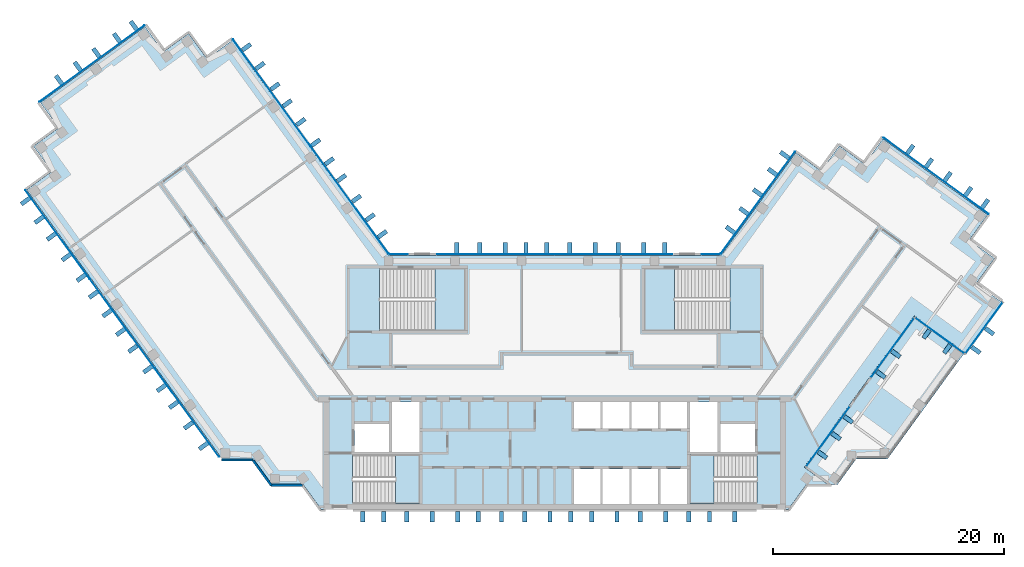
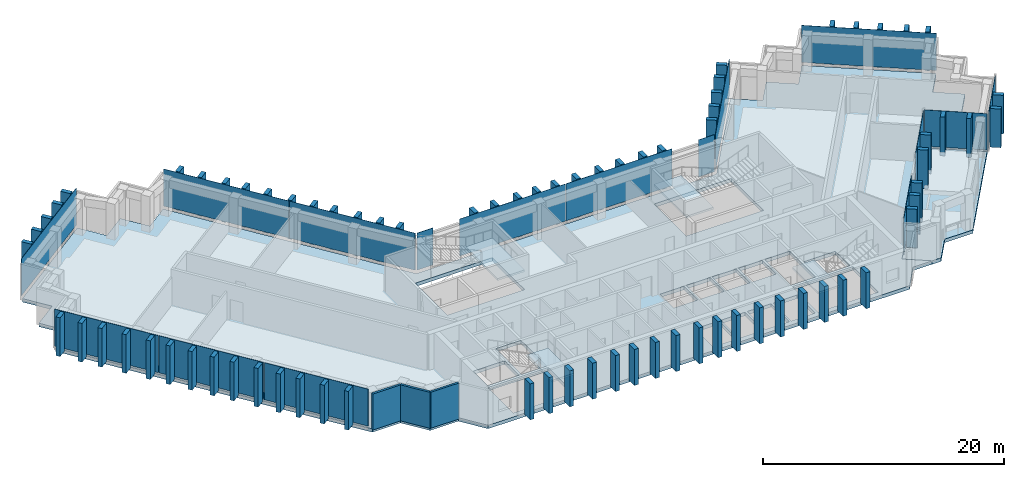
"""IFC4 building model written with IfcOpenShell, lengths in metres."""

from ifc_helpers import new_model, si_unit, direction, frame, frame_2d, origin, origin_2d, place, context, subcontext, project, spatial, polyline, rectangle, outline, extrude, material, layer, layer_set, type_object, element, aggregate, save


model = new_model("IFC4")

# Units and contexts
model_context = context("Model", 3, precision=1e-05, world=origin(), true_north=direction((0.0, 1.0)))
body_context = subcontext(model_context, "Body", "Model", "MODEL_VIEW")
ifc_project = project(units=[si_unit("LENGTHUNIT", "METRE"), si_unit("AREAUNIT", "SQUARE_METRE"), si_unit("VOLUMEUNIT", "CUBIC_METRE"), si_unit("PLANEANGLEUNIT", "RADIAN"), si_unit("MASSUNIT", "GRAM", prefix="KILO")], contexts=[model_context])

# Site, building, storey
site_placement = place(None, origin())
site = spatial("IfcSite", under=ifc_project, at=site_placement, CompositionType="ELEMENT")
building_placement = place(site_placement, origin())
building = spatial("IfcBuilding", under=site, at=building_placement, Name="Quipu Civic Tower", CompositionType="ELEMENT")
storey_1_placement = place(building_placement, frame((0.0, 0.0, 206.0)))
storey_1 = spatial("IfcBuildingStorey", under=building, at=storey_1_placement, Name="L48", CompositionType="ELEMENT", Elevation=206.0)

# Slab
ifc_material_1 = material(Name="Concrete C40/50", Category="concrete")
ifc_layer_1 = layer(ifc_material_1, 0.35009765625)
ifc_layer_set_1 = layer_set([ifc_layer_1], Name="Concrete C40/50")
slab_type_1 = type_object("IfcSlabType", Name="Floor slab 350 C40/50", PredefinedType="FLOOR", material=ifc_layer_set_1)
slab_1_placement = place(storey_1_placement, frame((0.0, 0.0, -0.35009765625)))
element("IfcSlab", 1, at=slab_1_placement, inside=storey_1, type_object=slab_type_1, Name="Floor slab L48", PredefinedType="FLOOR", context=body_context, shape_type="SweptSolid", body=[
    extrude(outline(polyline([(-20.205078125, -11.0), (-21.7900390625, -8.81494140625), (-24.489990234375, -8.81494140625), (-26.080078125, -6.6298828125), (-28.780029296875, -6.6298828125), (-45.7099609375, 16.669921875), (-43.52490234375, 18.260009765625), (-45.114990234375, 20.445068359375), (-42.929931640625, 22.030029296875), (-44.514892578125, 24.215087890625), (-35.455078125, 30.800048828125), (-33.864990234375, 28.614990234375), (-31.68505859375, 30.199951171875), (-30.094970703125, 28.014892578125), (-27.909912109375, 29.60498046875), (-14.39501953125, 11.0), (14.39501953125, 11.0), (20.860107421875, 19.89501953125), (23.0400390625, 18.31005859375), (24.6298828125, 20.4951171875), (26.81494140625, 18.905029296875), (28.39990234375, 21.090087890625), (37.4599609375, 14.5048828125), (35.875, 12.320068359375), (38.06005859375, 10.735107421875), (36.469970703125, 8.550048828125), (38.655029296875, 6.965087890625), (35.47998046875, 2.594970703125), (31.114990234375, 5.77001953125), (21.590087890625, -7.3349609375), (23.625, -8.81494140625), (21.7900390625, -8.81494140625), (20.205078125, -11.0), (-20.205078125, -11.0)]), holes=[polyline([(1.64990234375, -7.5), (1.64990234375, -10.5), (3.949951171875, -10.5), (3.949951171875, -7.5), (1.64990234375, -7.5)]), polyline([(4.14990234375, -7.5), (4.14990234375, -10.5), (6.449951171875, -10.5), (6.449951171875, -7.5), (4.14990234375, -7.5)]), polyline([(-11.705078125, -6.2548828125), (-17.4951171875, -6.2548828125), (-17.4951171875, -10.4951171875), (-11.705078125, -10.4951171875), (-11.705078125, -6.2548828125)]), polyline([(-17.35009765625, -3.60009765625), (-17.35009765625, -6.0), (-14.35009765625, -6.0), (-14.35009765625, -3.60009765625), (-17.35009765625, -3.60009765625)]), polyline([(-14.10009765625, -1.699951171875), (-14.10009765625, -6.0), (-11.699951171875, -6.0), (-11.699951171875, -1.699951171875), (-14.10009765625, -1.699951171875)]), polyline([(1.64990234375, -1.699951171875), (1.64990234375, -4.0), (3.949951171875, -4.0), (3.949951171875, -1.699951171875), (1.64990234375, -1.699951171875)]), polyline([(4.14990234375, -1.699951171875), (4.14990234375, -4.0), (6.449951171875, -4.0), (6.449951171875, -1.699951171875), (4.14990234375, -1.699951171875)]), polyline([(-7.7548828125, 9.844970703125), (-15.14501953125, 9.844970703125), (-15.14501953125, 4.5048828125), (-7.7548828125, 4.5048828125), (-7.7548828125, 9.844970703125)]), polyline([(6.64990234375, -7.5), (6.64990234375, -10.5), (8.949951171875, -10.5), (8.949951171875, -7.5), (6.64990234375, -7.5)]), polyline([(9.14990234375, -7.5), (9.14990234375, -10.5), (11.449951171875, -10.5), (11.449951171875, -7.5), (9.14990234375, -7.5)]), polyline([(11.705078125, -10.4951171875), (17.4951171875, -10.4951171875), (17.4951171875, -6.2548828125), (11.705078125, -6.2548828125), (11.705078125, -10.4951171875)]), polyline([(14.35009765625, -3.60009765625), (14.35009765625, -6.0), (17.35009765625, -6.0), (17.35009765625, -3.60009765625), (14.35009765625, -3.60009765625)]), polyline([(11.699951171875, -1.699951171875), (11.699951171875, -6.0), (14.10009765625, -6.0), (14.10009765625, -1.699951171875), (11.699951171875, -1.699951171875)]), polyline([(6.64990234375, -1.699951171875), (6.64990234375, -4.0), (8.949951171875, -4.0), (8.949951171875, -1.699951171875), (6.64990234375, -1.699951171875)]), polyline([(9.14990234375, -1.699951171875), (9.14990234375, -4.0), (11.449951171875, -4.0), (11.449951171875, -1.699951171875), (9.14990234375, -1.699951171875)]), polyline([(7.7548828125, 4.5048828125), (15.14501953125, 4.5048828125), (15.14501953125, 9.844970703125), (7.7548828125, 9.844970703125), (7.7548828125, 4.5048828125)])]), origin(), (0.0, 0.0, 1.0), 0.35009765625),
])

# Curtain wall, plate
ifc_material_2 = material(Name="Insulated glass unit", Category="glass")
curtain_wall_type = type_object("IfcCurtainWallType", Name="Office curtain wall CW1", PredefinedType="NOTDEFINED", material=ifc_material_2)
curtain_wall_1_placement = place(storey_1_placement, origin())
curtain_wall_1 = element("IfcCurtainWall", 2, at=curtain_wall_1_placement, inside=storey_1, type_object=curtain_wall_type, Name="Office curtain wall CW1 L48 run 3", PredefinedType="NOTDEFINED")
ifc_material_3 = material(Name="Insulated glass unit", Category="glass")
ifc_layer_2 = layer(ifc_material_3, 0.028076171875)
ifc_layer_set_2 = layer_set([ifc_layer_2], Name="Insulated glass unit")
plate_type_1 = type_object("IfcPlateType", Name="Glass panel CW1", PredefinedType="CURTAIN_PANEL", material=ifc_layer_set_2)
plate_1_placement = place(storey_1_placement, frame((23.64697265625, -4.677734375, 0.240234375), z_axis=(0.0, 0.0, 1.0), x_axis=(0.587783041125, 0.809018600878, 0.0)))
plate_1 = element("IfcPlate", 3, at=plate_1_placement, type_object=plate_type_1, Name="CW1 panel 1.1", PredefinedType="CURTAIN_PANEL", context=body_context, shape_type="SweptSolid", body=[
    extrude(rectangle(XDim=6.3583984375, YDim=0.028076171875, at=origin_2d()), origin(), (0.0, 0.0, 1.0), 3.679931640625),
])
aggregate(curtain_wall_1, [plate_1])

curtain_wall_2_placement = place(storey_1_placement, origin())
curtain_wall_2 = element("IfcCurtainWall", 4, at=curtain_wall_2_placement, inside=storey_1, type_object=curtain_wall_type, Name="Office curtain wall CW1 L48 run 5", PredefinedType="NOTDEFINED")
plate_2_placement = place(storey_1_placement, frame((29.219970703125, 2.992919921875, 0.240234375), z_axis=(0.0, 0.0, 1.0), x_axis=(0.587778491936, 0.809021906018, 0.0)))
plate_2 = element("IfcPlate", 5, at=plate_2_placement, type_object=plate_type_1, Name="CW1 panel 1.1", PredefinedType="CURTAIN_PANEL", context=body_context, shape_type="SweptSolid", body=[
    extrude(rectangle(XDim=6.358642578125, YDim=0.028076171875, at=origin_2d()), origin(), (0.0, 0.0, 1.0), 3.679931640625),
])
aggregate(curtain_wall_2, [plate_2])

curtain_wall_3_placement = place(storey_1_placement, origin())
curtain_wall_3 = element("IfcCurtainWall", 6, at=curtain_wall_3_placement, inside=storey_1, type_object=curtain_wall_type, Name="Office curtain wall CW1 L48 run 6", PredefinedType="NOTDEFINED")
plate_3_placement = place(storey_1_placement, frame((33.320068359375, 4.042724609375, 0.240234375), z_axis=(0.0, 0.0, 1.0), x_axis=(0.809021075291, -0.587779635352, 0.0)))
plate_3 = element("IfcPlate", 7, at=plate_3_placement, type_object=plate_type_1, Name="CW1 panel 1.1", PredefinedType="CURTAIN_PANEL", context=body_context, shape_type="SweptSolid", body=[
    extrude(rectangle(XDim=5.239990234375, YDim=0.028076171875, at=origin_2d()), origin(), (0.0, 0.0, 1.0), 3.679931640625),
])
aggregate(curtain_wall_3, [plate_3])

curtain_wall_4_placement = place(storey_1_placement, origin())
curtain_wall_4 = element("IfcCurtainWall", 8, at=curtain_wall_4_placement, inside=storey_1, type_object=curtain_wall_type, Name="Office curtain wall CW1 L48 run 7", PredefinedType="NOTDEFINED")
plate_4_placement = place(storey_1_placement, frame((37.150390625, 4.720947265625, 0.240234375), z_axis=(0.0, 0.0, 1.0), x_axis=(0.587793636059, 0.809010903145, 0.0)))
plate_4 = element("IfcPlate", 9, at=plate_4_placement, type_object=plate_type_1, Name="CW1 panel 1.1", PredefinedType="CURTAIN_PANEL", context=body_context, shape_type="SweptSolid", body=[
    extrude(rectangle(XDim=5.43994140625, YDim=0.028076171875, at=origin_2d()), origin(), (0.0, 0.0, 1.0), 3.679931640625),
])
aggregate(curtain_wall_4, [plate_4])

# Storey
storey_2_placement = place(building_placement, frame((0.0, 0.0, 210.0)))
storey_2 = spatial("IfcBuildingStorey", under=building, at=storey_2_placement, Name="L49", CompositionType="ELEMENT", Elevation=210.0)

# Curtain wall, plates
curtain_wall_5_placement = place(storey_2_placement, origin())
curtain_wall_5 = element("IfcCurtainWall", 10, at=curtain_wall_5_placement, inside=storey_2, type_object=curtain_wall_type, Name="Office curtain wall CW1 L48 run 8", PredefinedType="NOTDEFINED")
plate_5_placement = place(storey_1_placement, frame((-17.7421875, 15.777099609375, 0.240234375), z_axis=(0.0, 0.0, 1.0), x_axis=(-0.587788727052, 0.809014469803, 0.0)))
plate_5 = element("IfcPlate", 11, at=plate_5_placement, inside=storey_1, type_object=plate_type_1, Name="CW1 panel 1.1", PredefinedType="CURTAIN_PANEL", context=body_context, shape_type="SweptSolid", body=[
    extrude(rectangle(XDim=11.402099609375, YDim=0.028076171875, at=origin_2d()), origin(), (0.0, 0.0, 1.0), 3.760009765625),
])
plate_6_placement = place(storey_1_placement, frame((-24.491455078125, 25.066162109375, 0.240234375), z_axis=(0.0, 0.0, 1.0), x_axis=(-0.587788727052, 0.809014469803, 0.0)))
plate_6 = element("IfcPlate", 12, at=plate_6_placement, inside=storey_1, type_object=plate_type_1, Name="CW1 panel 2.1", PredefinedType="CURTAIN_PANEL", context=body_context, shape_type="SweptSolid", body=[
    extrude(rectangle(XDim=11.402099609375, YDim=0.028076171875, at=origin_2d()), origin(), (0.0, 0.0, 1.0), 3.760009765625),
])
aggregate(curtain_wall_5, [plate_5, plate_6])

# Curtain wall, plate
curtain_wall_6_placement = place(storey_2_placement, origin())
curtain_wall_6 = element("IfcCurtainWall", 13, at=curtain_wall_6_placement, inside=storey_2, type_object=curtain_wall_type, Name="Office curtain wall CW1 L48 run 13", PredefinedType="NOTDEFINED")
plate_7_placement = place(storey_1_placement, frame((-40.04345703125, 27.58740234375, 0.240234375), z_axis=(0.0, 0.0, 1.0), x_axis=(-0.809015176832, -0.587787753918, 0.0)))
plate_7 = element("IfcPlate", 14, at=plate_7_placement, inside=storey_1, type_object=plate_type_1, Name="CW1 panel 1.1", PredefinedType="CURTAIN_PANEL", context=body_context, shape_type="SweptSolid", body=[
    extrude(rectangle(XDim=11.239990234375, YDim=0.028076171875, at=origin_2d()), origin(), (0.0, 0.0, 1.0), 3.760009765625),
])
aggregate(curtain_wall_6, [plate_7])

# Curtain wall, plates
curtain_wall_7_placement = place(storey_2_placement, origin())
curtain_wall_7 = element("IfcCurtainWall", 15, at=curtain_wall_7_placement, inside=storey_2, type_object=curtain_wall_type, Name="Office curtain wall CW1 L48 run 18", PredefinedType="NOTDEFINED")
plate_8_placement = place(storey_1_placement, frame((-43.030517578125, 12.814208984375, 0.240234375), z_axis=(0.0, 0.0, 1.0), x_axis=(0.5877856923, -0.80901667469, 0.0)))
plate_8 = element("IfcPlate", 16, at=plate_8_placement, inside=storey_1, type_object=plate_type_1, Name="CW1 panel 1.1", PredefinedType="CURTAIN_PANEL", context=body_context, shape_type="SweptSolid", body=[
    extrude(rectangle(XDim=9.43212890625, YDim=0.028076171875, at=origin_2d()), origin(), (0.0, 0.0, 1.0), 3.760009765625),
])
plate_9_placement = place(storey_1_placement, frame((-37.427734375, 5.102783203125, 0.240234375), z_axis=(0.0, 0.0, 1.0), x_axis=(0.5877856923, -0.80901667469, 0.0)))
plate_9 = element("IfcPlate", 17, at=plate_9_placement, inside=storey_1, type_object=plate_type_1, Name="CW1 panel 2.1", PredefinedType="CURTAIN_PANEL", context=body_context, shape_type="SweptSolid", body=[
    extrude(rectangle(XDim=9.471923828125, YDim=0.028076171875, at=origin_2d()), origin(), (0.0, 0.0, 1.0), 3.760009765625),
])
plate_10_placement = place(storey_1_placement, frame((-31.824951171875, -2.60888671875, 0.240234375), z_axis=(0.0, 0.0, 1.0), x_axis=(0.5877856923, -0.80901667469, 0.0)))
plate_10 = element("IfcPlate", 18, at=plate_10_placement, inside=storey_1, type_object=plate_type_1, Name="CW1 panel 3.1", PredefinedType="CURTAIN_PANEL", context=body_context, shape_type="SweptSolid", body=[
    extrude(rectangle(XDim=9.43212890625, YDim=0.028076171875, at=origin_2d()), origin(), (0.0, 0.0, 1.0), 3.760009765625),
])
aggregate(curtain_wall_7, [plate_8, plate_9, plate_10])

# Curtain wall, plate
curtain_wall_8_placement = place(storey_2_placement, origin())
curtain_wall_8 = element("IfcCurtainWall", 19, at=curtain_wall_8_placement, inside=storey_2, type_object=curtain_wall_type, Name="Office curtain wall CW1 L48 run 28", PredefinedType="NOTDEFINED")
plate_11_placement = place(storey_1_placement, frame((32.989990234375, 17.87939453125, 0.240234375), z_axis=(0.0, 0.0, 1.0), x_axis=(-0.809015176832, 0.587787753918, 0.0)))
plate_11 = element("IfcPlate", 20, at=plate_11_placement, inside=storey_1, type_object=plate_type_1, Name="CW1 panel 1.1", PredefinedType="CURTAIN_PANEL", context=body_context, shape_type="SweptSolid", body=[
    extrude(rectangle(XDim=11.239990234375, YDim=0.028076171875, at=origin_2d()), origin(), (0.0, 0.0, 1.0), 3.760009765625),
])
aggregate(curtain_wall_8, [plate_11])

curtain_wall_9_placement = place(storey_2_placement, origin())
curtain_wall_9 = element("IfcCurtainWall", 21, at=curtain_wall_9_placement, inside=storey_2, type_object=curtain_wall_type, Name="Office curtain wall CW1 L48 run 33", PredefinedType="NOTDEFINED")
plate_12_placement = place(storey_1_placement, frame((17.590087890625, 15.5673828125, 0.240234375), z_axis=(0.0, 0.0, 1.0), x_axis=(-0.587787771652, -0.809015163947, 0.0)))
plate_12 = element("IfcPlate", 22, at=plate_12_placement, inside=storey_1, type_object=plate_type_1, Name="CW1 panel 1.1", PredefinedType="CURTAIN_PANEL", context=body_context, shape_type="SweptSolid", body=[
    extrude(rectangle(XDim=10.88427734375, YDim=0.028076171875, at=origin_2d()), origin(), (0.0, 0.0, 1.0), 3.760009765625),
])
aggregate(curtain_wall_9, [plate_12])

curtain_wall_10_placement = place(storey_2_placement, origin())
curtain_wall_10 = element("IfcCurtainWall", 23, at=curtain_wall_10_placement, inside=storey_2, type_object=curtain_wall_type, Name="Office curtain wall CW1 L48 run 34", PredefinedType="NOTDEFINED")
plate_13_placement = place(storey_1_placement, frame((13.49951171875, 11.10009765625, 0.240234375), z_axis=(0.0, 0.0, 1.0), x_axis=(-1.0, 0.0, 0.0)))
plate_13 = element("IfcPlate", 24, at=plate_13_placement, inside=storey_1, type_object=plate_type_1, Name="CW1 panel 1.1", PredefinedType="CURTAIN_PANEL", context=body_context, shape_type="SweptSolid", body=[
    extrude(rectangle(XDim=1.529296875, YDim=0.028076171875, at=origin_2d()), origin(), (0.0, 0.0, 1.0), 3.760009765625),
])
aggregate(curtain_wall_10, [plate_13])

# Curtain wall, plates
curtain_wall_11_placement = place(storey_2_placement, origin())
curtain_wall_11 = element("IfcCurtainWall", 25, at=curtain_wall_11_placement, inside=storey_2, type_object=curtain_wall_type, Name="Office curtain wall CW1 L48 run 36", PredefinedType="NOTDEFINED")
plate_14_placement = place(storey_1_placement, frame((5.11181640625, 11.10009765625, 0.240234375), z_axis=(0.0, 0.0, 1.0), x_axis=(-1.0, 0.0, 0.0)))
plate_14 = element("IfcPlate", 26, at=plate_14_placement, inside=storey_1, type_object=plate_type_1, Name="CW1 panel 1.1", PredefinedType="CURTAIN_PANEL", context=body_context, shape_type="SweptSolid", body=[
    extrude(rectangle(XDim=10.1435546875, YDim=0.028076171875, at=origin_2d()), origin(), (0.0, 0.0, 1.0), 3.760009765625),
])
plate_15_placement = place(storey_1_placement, frame((-5.11181640625, 11.10009765625, 0.240234375), z_axis=(0.0, 0.0, 1.0), x_axis=(-1.0, 0.0, 0.0)))
plate_15 = element("IfcPlate", 27, at=plate_15_placement, inside=storey_1, type_object=plate_type_1, Name="CW1 panel 2.1", PredefinedType="CURTAIN_PANEL", context=body_context, shape_type="SweptSolid", body=[
    extrude(rectangle(XDim=10.1435546875, YDim=0.028076171875, at=origin_2d()), origin(), (0.0, 0.0, 1.0), 3.760009765625),
])
aggregate(curtain_wall_11, [plate_14, plate_15])

# Curtain wall, plate
curtain_wall_12_placement = place(storey_2_placement, origin())
curtain_wall_12 = element("IfcCurtainWall", 28, at=curtain_wall_12_placement, inside=storey_2, type_object=curtain_wall_type, Name="Office curtain wall CW1 L48 run 38", PredefinedType="NOTDEFINED")
plate_16_placement = place(storey_1_placement, frame((-13.49951171875, 11.10009765625, 0.240234375), z_axis=(0.0, 0.0, 1.0), x_axis=(-1.0, 0.0, 0.0)))
plate_16 = element("IfcPlate", 29, at=plate_16_placement, inside=storey_1, type_object=plate_type_1, Name="CW1 panel 1.1", PredefinedType="CURTAIN_PANEL", context=body_context, shape_type="SweptSolid", body=[
    extrude(rectangle(XDim=1.529296875, YDim=0.028076171875, at=origin_2d()), origin(), (0.0, 0.0, 1.0), 3.760009765625),
])
aggregate(curtain_wall_12, [plate_16])

# Plates
ifc_material_4 = material(Name="Precast concrete C40/50", Category="concrete")
plate_type_2 = type_object("IfcPlateType", Name="Precast fin F2", PredefinedType="SHEET", material=ifc_material_4)
for number, where, z_axis, x_axis, name in (
    (30, (23.169677734375, -6.2705078125, 0.080078125), (0.0, 0.0, 1.0), (0.587783675566, 0.809018139931, 0.0), "Precast fin F2 L48.3.1"),
    (31, (24.34521484375, -4.652587890625, 0.080078125), (0.0, 0.0, 1.0), (0.587783675566, 0.809018139931, 0.0), "Precast fin F2 L48.3.2"),
    (32, (25.403076171875, -3.1962890625, 0.080078125), (0.0, 0.0, 1.0), (0.587783675566, 0.809018139931, 0.0), "Precast fin F2 L48.3.3"),
    (33, (28.224609375, 0.686767578125, 0.080078125), (0.0, 0.0, 1.0), (0.587783675566, 0.809018139931, 0.0), "Precast fin F2 L48.5.1"),
    (34, (29.517578125, 2.466796875, 0.080078125), (0.0, 0.0, 1.0), (0.587783675566, 0.809018139931, 0.0), "Precast fin F2 L48.5.2"),
    (35, (32.1796875, 4.19140625, 0.080078125), (0.0, 0.0, 1.0), (0.809021075291, -0.587779635352, 0.0), "Precast fin F2 L48.6.1"),
    (36, (33.959716796875, 2.898193359375, 0.080078125), (0.0, 0.0, 1.0), (0.809021075291, -0.587779635352, 0.0), "Precast fin F2 L48.6.2"),
    (37, (36.443115234375, 2.81201171875, 0.080078125), (0.0, 0.0, 1.0), (0.587788441518, 0.809014677257, 0.0), "Precast fin F2 L48.7.1"),
    (38, (37.618896484375, 4.429931640625, 0.080078125), (0.0, 0.0, 1.0), (0.587788441518, 0.809014677257, 0.0), "Precast fin F2 L48.7.2"),
    (39, (-14.92138671875, 12.830078125, 0.080078125), (0.0, 0.0, 1.0), (-0.587787133119, 0.809015627871, 0.0), "Precast fin F2 L48.8.1"),
    (40, (-15.9794921875, 14.286376953125, 0.080078125), (0.0, 0.0, 1.0), (-0.587787133119, 0.809015627871, 0.0), "Precast fin F2 L48.8.2"),
    (41, (-17.155029296875, 15.904541015625, 0.080078125), (0.0, 0.0, 1.0), (-0.587787133119, 0.809015627871, 0.0), "Precast fin F2 L48.8.3"),
    (42, (-18.4482421875, 17.684326171875, 0.080078125), (0.0, 0.0, 1.0), (-0.587787133119, 0.809015627871, 0.0), "Precast fin F2 L48.8.4"),
    (43, (-19.506103515625, 19.140625, 0.080078125), (0.0, 0.0, 1.0), (-0.587787133119, 0.809015627871, 0.0), "Precast fin F2 L48.8.5"),
    (44, (-20.681884765625, 20.758544921875, 0.080078125), (0.0, 0.0, 1.0), (-0.587787133119, 0.809015627871, 0.0), "Precast fin F2 L48.8.6"),
    (45, (-21.974853515625, 22.538330078125, 0.080078125), (0.0, 0.0, 1.0), (-0.587787133119, 0.809015627871, 0.0), "Precast fin F2 L48.8.7"),
    (46, (-23.150390625, 24.156494140625, 0.080078125), (0.0, 0.0, 1.0), (-0.587787133119, 0.809015627871, 0.0), "Precast fin F2 L48.8.8"),
    (47, (-24.20849609375, 25.612548828125, 0.080078125), (0.0, 0.0, 1.0), (-0.587787133119, 0.809015627871, 0.0), "Precast fin F2 L48.8.9"),
    (48, (-25.501708984375, 27.392578125, 0.080078125), (0.0, 0.0, 1.0), (-0.587787133119, 0.809015627871, 0.0), "Precast fin F2 L48.8.10"),
    (49, (-26.67724609375, 29.010498046875, 0.080078125), (0.0, 0.0, 1.0), (-0.587787133119, 0.809015627871, 0.0), "Precast fin F2 L48.8.11"),
    (50, (-36.434814453125, 30.88916015625, 0.080078125), (0.0, 0.0, 1.0), (-0.809017072762, -0.587785144401, 0.0), "Precast fin F2 L48.13.1"),
    (51, (-37.89111328125, 29.8310546875, 0.080078125), (0.0, 0.0, 1.0), (-0.809017072762, -0.587785144401, 0.0), "Precast fin F2 L48.13.2"),
    (52, (-39.6708984375, 28.537841796875, 0.080078125), (0.0, 0.0, 1.0), (-0.809017072762, -0.587785144401, 0.0), "Precast fin F2 L48.13.3"),
    (53, (-41.2890625, 27.3623046875, 0.080078125), (0.0, 0.0, 1.0), (-0.809017072762, -0.587785144401, 0.0), "Precast fin F2 L48.13.4"),
    (54, (-42.906982421875, 26.186767578125, 0.080078125), (0.0, 0.0, 1.0), (-0.809017072762, -0.587785144401, 0.0), "Precast fin F2 L48.13.5"),
    (55, (-45.80078125, 15.69140625, 0.080078125), (0.0, 0.0, 1.0), (0.587785620359, -0.809016726959, 0.0), "Precast fin F2 L48.18.1"),
    (56, (-44.625244140625, 14.073486328125, 0.080078125), (0.0, 0.0, 1.0), (0.587785620359, -0.809016726959, 0.0), "Precast fin F2 L48.18.2"),
    (57, (-43.567138671875, 12.6171875, 0.080078125), (0.0, 0.0, 1.0), (0.587785620359, -0.809016726959, 0.0), "Precast fin F2 L48.18.3"),
    (58, (-42.27392578125, 10.83740234375, 0.080078125), (0.0, 0.0, 1.0), (0.587785620359, -0.809016726959, 0.0), "Precast fin F2 L48.18.4"),
    (59, (-40.98095703125, 9.0576171875, 0.080078125), (0.0, 0.0, 1.0), (0.587785620359, -0.809016726959, 0.0), "Precast fin F2 L48.18.5"),
    (60, (-39.9228515625, 7.601318359375, 0.080078125), (0.0, 0.0, 1.0), (0.587785620359, -0.809016726959, 0.0), "Precast fin F2 L48.18.6"),
    (61, (-38.747314453125, 5.983154296875, 0.080078125), (0.0, 0.0, 1.0), (0.587785620359, -0.809016726959, 0.0), "Precast fin F2 L48.18.7"),
    (62, (-37.57177734375, 4.365234375, 0.080078125), (0.0, 0.0, 1.0), (0.587785620359, -0.809016726959, 0.0), "Precast fin F2 L48.18.8"),
    (63, (-36.513671875, 2.908935546875, 0.080078125), (0.0, 0.0, 1.0), (0.587785620359, -0.809016726959, 0.0), "Precast fin F2 L48.18.9"),
    (64, (-35.220458984375, 1.129150390625, 0.080078125), (0.0, 0.0, 1.0), (0.587785620359, -0.809016726959, 0.0), "Precast fin F2 L48.18.10"),
    (65, (-34.044921875, -0.48876953125, 0.080078125), (0.0, 0.0, 1.0), (0.587785620359, -0.809016726959, 0.0), "Precast fin F2 L48.18.11"),
    (66, (-32.987060546875, -1.945068359375, 0.080078125), (0.0, 0.0, 1.0), (0.587785620359, -0.809016726959, 0.0), "Precast fin F2 L48.18.12"),
    (67, (-31.69384765625, -3.724853515625, 0.080078125), (0.0, 0.0, 1.0), (0.587785620359, -0.809016726959, 0.0), "Precast fin F2 L48.18.13"),
    (68, (-30.400634765625, -5.5048828125, 0.080078125), (0.0, 0.0, 1.0), (0.587785620359, -0.809016726959, 0.0), "Precast fin F2 L48.18.14"),
):
    element("IfcPlate", number, at=place(storey_1_placement, frame(where, z_axis=z_axis, x_axis=x_axis)), inside=storey_1, type_object=plate_type_2, Name=name, PredefinedType="SHEET", context=body_context, shape_type="SweptSolid", body=[
        extrude(rectangle(XDim=0.3798828125, YDim=0.89990234375, at=origin_2d()), origin(), (0.0, 0.0, 1.0), 3.919921875),
    ])
for number, where, z_axis, x_axis, name in (
    (69, (-16.610107421875, -11.637939453125, 0.0), (0.0, 0.0, 1.0), (1.0, 0.0, 0.0), "Precast fin F2 L48.24.1"),
    (70, (-14.81005859375, -11.637939453125, 0.0), (0.0, 0.0, 1.0), (1.0, 0.0, 0.0), "Precast fin F2 L48.24.2"),
    (71, (-12.81005859375, -11.637939453125, 0.0), (0.0, 0.0, 1.0), (1.0, 0.0, 0.0), "Precast fin F2 L48.24.3"),
    (72, (-10.610107421875, -11.637939453125, 0.0), (0.0, 0.0, 1.0), (1.0, 0.0, 0.0), "Precast fin F2 L48.24.4"),
    (73, (-8.409912109375, -11.637939453125, 0.0), (0.0, 0.0, 1.0), (1.0, 0.0, 0.0), "Precast fin F2 L48.24.5"),
    (74, (-6.610107421875, -11.637939453125, 0.0), (0.0, 0.0, 1.0), (1.0, 0.0, 0.0), "Precast fin F2 L48.24.6"),
    (75, (-4.610107421875, -11.637939453125, 0.0), (0.0, 0.0, 1.0), (1.0, 0.0, 0.0), "Precast fin F2 L48.24.7"),
    (76, (-2.610107421875, -11.637939453125, 0.0), (0.0, 0.0, 1.0), (1.0, 0.0, 0.0), "Precast fin F2 L48.24.8"),
    (77, (-0.409912109375, -11.637939453125, 0.0), (0.0, 0.0, 1.0), (1.0, 0.0, 0.0), "Precast fin F2 L48.24.9"),
    (78, (1.389892578125, -11.637939453125, 0.0), (0.0, 0.0, 1.0), (1.0, 0.0, 0.0), "Precast fin F2 L48.24.10"),
    (79, (3.18994140625, -11.637939453125, 0.0), (0.0, 0.0, 1.0), (1.0, 0.0, 0.0), "Precast fin F2 L48.24.11"),
    (80, (5.389892578125, -11.637939453125, 0.0), (0.0, 0.0, 1.0), (1.0, 0.0, 0.0), "Precast fin F2 L48.24.12"),
    (81, (7.389892578125, -11.637939453125, 0.0), (0.0, 0.0, 1.0), (1.0, 0.0, 0.0), "Precast fin F2 L48.24.13"),
    (82, (9.590087890625, -11.637939453125, 0.0), (0.0, 0.0, 1.0), (1.0, 0.0, 0.0), "Precast fin F2 L48.24.14"),
    (83, (11.590087890625, -11.637939453125, 0.0), (0.0, 0.0, 1.0), (1.0, 0.0, 0.0), "Precast fin F2 L48.24.15"),
    (84, (13.389892578125, -11.637939453125, 0.0), (0.0, 0.0, 1.0), (1.0, 0.0, 0.0), "Precast fin F2 L48.24.16"),
    (85, (15.590087890625, -11.637939453125, 0.0), (0.0, 0.0, 1.0), (1.0, 0.0, 0.0), "Precast fin F2 L48.24.17"),
):
    element("IfcPlate", number, at=place(storey_1_placement, frame(where, z_axis=z_axis, x_axis=x_axis)), inside=storey_1, type_object=plate_type_2, Name=name, PredefinedType="SHEET", context=body_context, shape_type="SweptSolid", body=[
        extrude(rectangle(XDim=0.3798828125, YDim=0.89990234375, at=origin_2d()), origin(), (0.0, 0.0, 1.0), 3.64990234375),
    ])
for number, where, z_axis, x_axis, name in (
    (86, (37.2451171875, 15.467529296875, 0.080078125), (0.0, 0.0, 1.0), (-0.809017072762, 0.587785144401, 0.0), "Precast fin F2 L48.28.1"),
    (87, (35.7890625, 16.525634765625, 0.080078125), (0.0, 0.0, 1.0), (-0.809017072762, 0.587785144401, 0.0), "Precast fin F2 L48.28.2"),
    (88, (34.009033203125, 17.81884765625, 0.080078125), (0.0, 0.0, 1.0), (-0.809017072762, 0.587785144401, 0.0), "Precast fin F2 L48.28.3"),
    (89, (32.39111328125, 18.994384765625, 0.080078125), (0.0, 0.0, 1.0), (-0.809017072762, 0.587785144401, 0.0), "Precast fin F2 L48.28.4"),
    (90, (30.77294921875, 20.169921875, 0.080078125), (0.0, 0.0, 1.0), (-0.809017072762, 0.587785144401, 0.0), "Precast fin F2 L48.28.5"),
    (91, (19.897216796875, 19.6787109375, 0.080078125), (0.0, 0.0, 1.0), (-0.58778443384, -0.809017589015, 0.0), "Precast fin F2 L48.33.1"),
    (92, (18.839111328125, 18.222412109375, 0.080078125), (0.0, 0.0, 1.0), (-0.58778443384, -0.809017589015, 0.0), "Precast fin F2 L48.33.2"),
    (93, (17.546142578125, 16.442626953125, 0.080078125), (0.0, 0.0, 1.0), (-0.58778443384, -0.809017589015, 0.0), "Precast fin F2 L48.33.3"),
    (94, (16.370361328125, 14.824462890625, 0.080078125), (0.0, 0.0, 1.0), (-0.58778443384, -0.809017589015, 0.0), "Precast fin F2 L48.33.4"),
    (95, (15.19482421875, 13.20654296875, 0.080078125), (0.0, 0.0, 1.0), (-0.58778443384, -0.809017589015, 0.0), "Precast fin F2 L48.33.5"),
    (96, (9.510009765625, 11.64990234375, 0.080078125), (0.0, 0.0, 1.0), (-1.0, 0.0, 0.0), "Precast fin F2 L48.36.1"),
    (97, (7.7099609375, 11.64990234375, 0.080078125), (0.0, 0.0, 1.0), (-1.0, 0.0, 0.0), "Precast fin F2 L48.36.2"),
    (98, (5.510009765625, 11.64990234375, 0.080078125), (0.0, 0.0, 1.0), (-1.0, 0.0, 0.0), "Precast fin F2 L48.36.3"),
    (99, (3.510009765625, 11.64990234375, 0.080078125), (0.0, 0.0, 1.0), (-1.0, 0.0, 0.0), "Precast fin F2 L48.36.4"),
    (100, (1.31005859375, 11.64990234375, 0.080078125), (0.0, 0.0, 1.0), (-1.0, 0.0, 0.0), "Precast fin F2 L48.36.5"),
    (101, (-0.68994140625, 11.64990234375, 0.080078125), (0.0, 0.0, 1.0), (-1.0, 0.0, 0.0), "Precast fin F2 L48.36.6"),
    (102, (-2.489990234375, 11.64990234375, 0.080078125), (0.0, 0.0, 1.0), (-1.0, 0.0, 0.0), "Precast fin F2 L48.36.7"),
    (103, (-4.2900390625, 11.64990234375, 0.080078125), (0.0, 0.0, 1.0), (-1.0, 0.0, 0.0), "Precast fin F2 L48.36.8"),
    (104, (-6.489990234375, 11.64990234375, 0.080078125), (0.0, 0.0, 1.0), (-1.0, 0.0, 0.0), "Precast fin F2 L48.36.9"),
    (105, (-8.489990234375, 11.64990234375, 0.080078125), (0.0, 0.0, 1.0), (-1.0, 0.0, 0.0), "Precast fin F2 L48.36.10"),
):
    element("IfcPlate", number, at=place(storey_1_placement, frame(where, z_axis=z_axis, x_axis=x_axis)), inside=storey_1, type_object=plate_type_2, Name=name, PredefinedType="SHEET", context=body_context, shape_type="SweptSolid", body=[
        extrude(rectangle(XDim=0.3798828125, YDim=0.89990234375, at=origin_2d()), origin(), (0.0, 0.0, 1.0), 3.919921875),
    ])

# Stair, slab
ifc_material_5 = material(Name="Concrete C40/50", Category="concrete")
stair_type_1 = type_object("IfcStairType", Name="Half turn stair 2000", PredefinedType="HALF_TURN_STAIR", material=ifc_material_5)
stair_1_placement = place(storey_1_placement, origin())
stair_1 = element("IfcStair", 106, at=stair_1_placement, inside=storey_1, type_object=stair_type_1, Name="Exit stair 1", PredefinedType="HALF_TURN_STAIR")
ifc_material_6 = material(Name="Concrete C40/50", Category="concrete")
ifc_layer_3 = layer(ifc_material_6, 0.199951171875)
ifc_layer_set_3 = layer_set([ifc_layer_3], Name="Concrete C40/50")
slab_type_2 = type_object("IfcSlabType", Name="Stair landing 200", PredefinedType="LANDING", material=ifc_layer_set_3)
slab_2_placement = place(storey_1_placement, frame((0.0, 0.0, 1.800048828125)))
slab_2 = element("IfcSlab", 107, at=slab_2_placement, type_object=slab_type_2, Name="ST-1 landing 1", PredefinedType="LANDING", context=body_context, shape_type="SweptSolid", body=[
    extrude(outline(polyline([(-13.780029296875, -10.5), (-11.699951171875, -10.5), (-11.699951171875, -6.25), (-13.780029296875, -6.25), (-13.780029296875, -10.5)])), origin(), (0.0, 0.0, 1.0), 0.199951171875),
])
aggregate(stair_1, [slab_2])

stair_2_placement = place(storey_1_placement, origin())
stair_2 = element("IfcStair", 108, at=stair_2_placement, inside=storey_1, type_object=stair_type_1, Name="Exit stair 2", PredefinedType="HALF_TURN_STAIR")
slab_3_placement = place(storey_1_placement, frame((0.0, 0.0, 1.800048828125)))
slab_3 = element("IfcSlab", 109, at=slab_3_placement, type_object=slab_type_2, Name="ST-2 landing 1", PredefinedType="LANDING", context=body_context, shape_type="SweptSolid", body=[
    extrude(outline(polyline([(13.780029296875, -6.25), (11.699951171875, -6.25), (11.699951171875, -10.5), (13.780029296875, -10.5), (13.780029296875, -6.25)])), origin(), (0.0, 0.0, 1.0), 0.199951171875),
])
aggregate(stair_2, [slab_3])

ifc_material_7 = material(Name="Concrete C40/50", Category="concrete")
stair_type_2 = type_object("IfcStairType", Name="Half turn stair 2600", PredefinedType="HALF_TURN_STAIR", material=ifc_material_7)
stair_3_placement = place(storey_1_placement, origin())
stair_3 = element("IfcStair", 110, at=stair_3_placement, inside=storey_1, type_object=stair_type_2, Name="Exit stair 3", PredefinedType="HALF_TURN_STAIR")
slab_4_placement = place(storey_1_placement, frame((0.0, 0.0, 1.800048828125)))
slab_4 = element("IfcSlab", 111, at=slab_4_placement, type_object=slab_type_2, Name="ST-3 landing 1", PredefinedType="LANDING", context=body_context, shape_type="SweptSolid", body=[
    extrude(outline(polyline([(-10.35009765625, 4.5), (-7.75, 4.5), (-7.75, 9.85009765625), (-10.35009765625, 9.85009765625), (-10.35009765625, 4.5)])), origin(), (0.0, 0.0, 1.0), 0.199951171875),
])
aggregate(stair_3, [slab_4])

stair_4_placement = place(storey_1_placement, origin())
stair_4 = element("IfcStair", 112, at=stair_4_placement, inside=storey_1, type_object=stair_type_2, Name="Exit stair 4", PredefinedType="HALF_TURN_STAIR")
slab_5_placement = place(storey_1_placement, frame((0.0, 0.0, 1.800048828125)))
slab_5 = element("IfcSlab", 113, at=slab_5_placement, type_object=slab_type_2, Name="ST-4 landing 1", PredefinedType="LANDING", context=body_context, shape_type="SweptSolid", body=[
    extrude(outline(polyline([(10.35009765625, 9.85009765625), (7.75, 9.85009765625), (7.75, 4.5), (10.35009765625, 4.5), (10.35009765625, 9.85009765625)])), origin(), (0.0, 0.0, 1.0), 0.199951171875),
])
aggregate(stair_4, [slab_5])

# Slab
ifc_material_8 = material(Name="Concrete C40/50", Category="concrete")
ifc_layer_4 = layer(ifc_material_8, 0.35009765625)
ifc_layer_set_4 = layer_set([ifc_layer_4], Name="Concrete C40/50")
slab_type_3 = type_object("IfcSlabType", Name="Terrace slab 350 C40/50", PredefinedType="FLOOR", material=ifc_layer_set_4)
slab_6_placement = place(storey_1_placement, frame((0.0, 0.0, -0.35009765625)))
element("IfcSlab", 114, at=slab_6_placement, inside=storey_1, type_object=slab_type_3, Name="Terrace slab L48", PredefinedType="FLOOR", context=body_context, shape_type="SweptSolid", body=[
    extrude(outline(polyline([(35.47998046875, 2.594970703125), (28.780029296875, -6.6298828125), (26.080078125, -6.6298828125), (24.489990234375, -8.81494140625), (23.625, -8.81494140625), (21.590087890625, -7.3349609375), (31.114990234375, 5.77001953125), (35.47998046875, 2.594970703125)])), origin(), (0.0, 0.0, 1.0), 0.35009765625),
])

# Walls
ifc_material_9 = material(Name="Precast concrete C40/50", Category="concrete")
wall_type = type_object("IfcWallType", Name="Precast cladding wall", PredefinedType="SOLIDWALL", material=ifc_material_9)
wall_1_placement = place(storey_1_placement, frame((-28.829833984375, -6.71923828125, 0.0), z_axis=(0.0, 0.0, 1.0), x_axis=(1.0, 0.0, 0.0)))
element("IfcWall", 115, at=wall_1_placement, inside=storey_1, type_object=wall_type, Name="Precast cladding wall L48 19", PredefinedType="SOLIDWALL", context=body_context, shape_type="SweptSolid", body=[
    extrude(rectangle(XDim=2.699951171875, YDim=0.199951171875, at=frame_2d((1.35009765625, 0.0))), origin(), (0.0, 0.0, 1.0), 3.64990234375),
])
wall_2_placement = place(storey_1_placement, frame((-26.1201171875, -6.72412109375, 0.0), z_axis=(0.0, 0.0, 1.0), x_axis=(0.587720002413, -0.809064397168, 0.0)))
element("IfcWall", 116, at=wall_2_placement, inside=storey_1, type_object=wall_type, Name="Precast cladding wall L48 20", PredefinedType="SOLIDWALL", context=body_context, shape_type="SweptSolid", body=[
    extrude(rectangle(XDim=2.7001953125, YDim=0.199951171875, at=frame_2d((1.35009765625, 0.0))), origin(), (0.0, 0.0, 1.0), 3.64990234375),
])
wall_3_placement = place(storey_1_placement, frame((-24.542724609375, -8.90380859375, 0.0), z_axis=(0.0, 0.0, 1.0), x_axis=(1.0, 0.0, 0.0)))
element("IfcWall", 117, at=wall_3_placement, inside=storey_1, type_object=wall_type, Name="Precast cladding wall L48 21", PredefinedType="SOLIDWALL", context=body_context, shape_type="SweptSolid", body=[
    extrude(rectangle(XDim=2.699951171875, YDim=0.199951171875, at=frame_2d((1.35009765625, 0.0))), origin(), (0.0, 0.0, 1.0), 3.64990234375),
])

save(model, "model.ifc")
